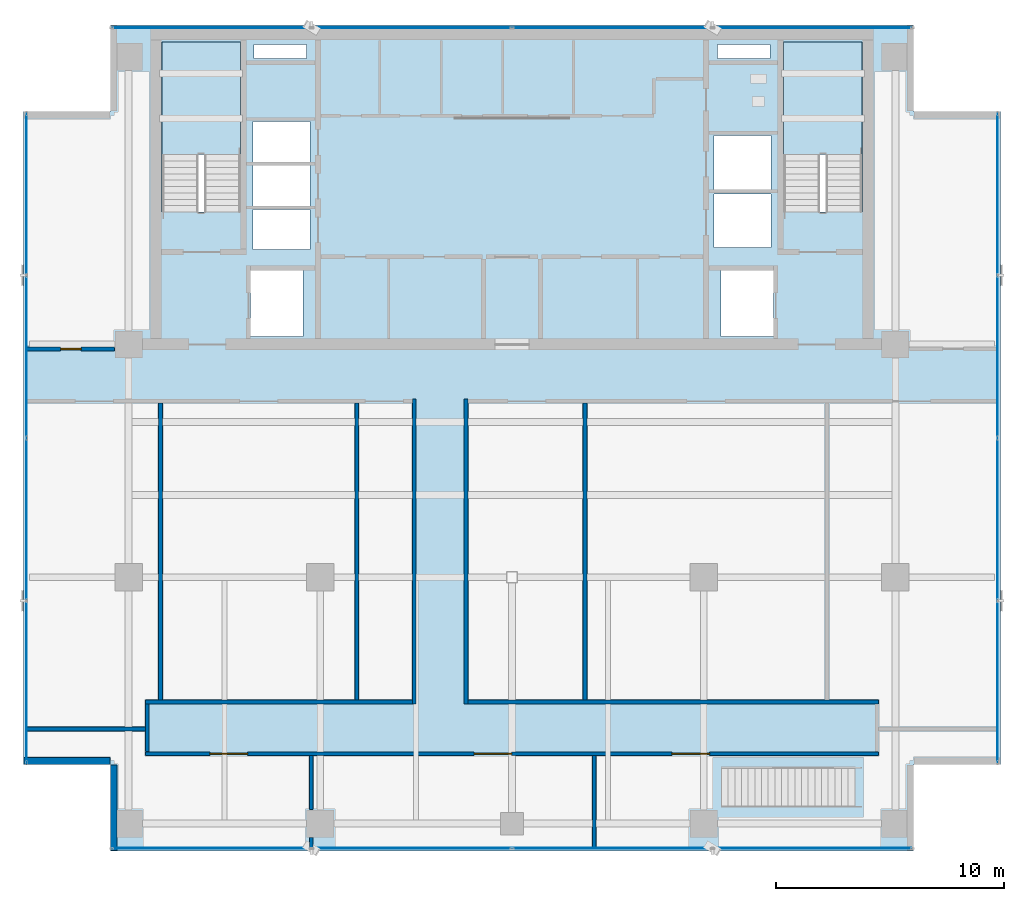
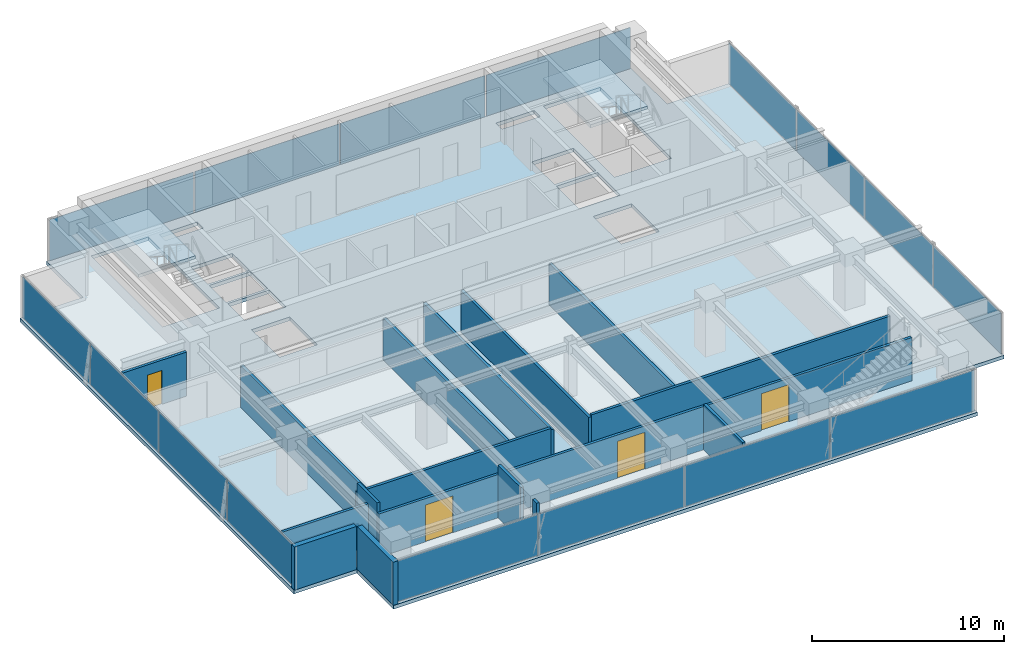
# One storey, part 14 of 22: 16 plates, 16 walls, 4 doors, 3 slabs, 4 openings, 6 elements without a shape of their own.
"""IFC4 building model written with IfcOpenShell, lengths in metres."""

from ifc_helpers import new_model, si_unit, direction, frame, frame_2d, origin, origin_2d, place, context, subcontext, project, spatial, polyline, rectangle, outline, extrude, source, transform, mapped, material, layer, layer_set, type_object, element, fill, aggregate, save


model = new_model("IFC4")

# Units and contexts
model_context = context("Model", 3, precision=1e-05, world=origin(), true_north=direction((0.0, 1.0)))
body_context = subcontext(model_context, "Body", "Model", "MODEL_VIEW")
ifc_project = project(units=[si_unit("LENGTHUNIT", "METRE"), si_unit("AREAUNIT", "SQUARE_METRE"), si_unit("VOLUMEUNIT", "CUBIC_METRE"), si_unit("PLANEANGLEUNIT", "RADIAN"), si_unit("MASSUNIT", "GRAM", prefix="KILO")], contexts=[model_context])

# Site, building, storey
site_placement = place(None, origin())
site = spatial("IfcSite", under=ifc_project, at=site_placement, CompositionType="ELEMENT")
building_placement = place(site_placement, origin())
building = spatial("IfcBuilding", under=site, at=building_placement, Name="Sumidabori Civic Tower", CompositionType="ELEMENT")
storey_placement = place(building_placement, frame((0.0, 0.0, 286.39990234375)))
storey = spatial("IfcBuildingStorey", under=building, at=storey_placement, Name="L75", CompositionType="ELEMENT", Elevation=286.39990234375)

# Stair, slab
ifc_material_1 = material(Name="Concrete C40/50", Category="concrete")
stair_type = type_object("IfcStairType", Name="ST-CORE-1600", PredefinedType="HALF_TURN_STAIR", material=ifc_material_1)
stair_1_placement = place(storey_placement, origin())
stair_1 = element("IfcStair", 1, at=stair_1_placement, inside=storey, type_object=stair_type, Name="L75 ST-1", PredefinedType="HALF_TURN_STAIR")
ifc_layer_1 = layer(ifc_material_1, 0.199951171875, Name="Concrete C40/50")
ifc_layer_set_1 = layer_set([ifc_layer_1], Name="Concrete C40/50")
slab_type_1 = type_object("IfcSlabType", Name="SL-LAND-200", PredefinedType="LANDING", material=ifc_layer_set_1)
slab_1_placement = place(storey_placement, frame((0.0, 0.0, 1.60009765625)))
slab_1 = element("IfcSlab", 2, at=slab_1_placement, type_object=slab_type_1, Name="ST-1 landing 1", PredefinedType="LANDING", context=body_context, shape_type="SweptSolid", body=[
    extrude(outline(polyline([(-11.89990234375, 18.52001953125), (-11.89990234375, 23.449951171875), (-15.340087890625, 23.449951171875), (-15.340087890625, 18.52001953125), (-11.89990234375, 18.52001953125)])), origin(), (0.0, 0.0, 1.0), 0.199951171875),
])
aggregate(stair_1, [slab_1])

stair_2_placement = place(storey_placement, origin())
stair_2 = element("IfcStair", 3, at=stair_2_placement, inside=storey, type_object=stair_type, Name="L75 ST-2", PredefinedType="HALF_TURN_STAIR")
slab_2_placement = place(storey_placement, frame((0.0, 0.0, 1.60009765625)))
slab_2 = element("IfcSlab", 4, at=slab_2_placement, type_object=slab_type_1, Name="ST-2 landing 1", PredefinedType="LANDING", context=body_context, shape_type="SweptSolid", body=[
    extrude(outline(polyline([(15.340087890625, 18.52001953125), (15.340087890625, 23.449951171875), (11.89990234375, 23.449951171875), (11.89990234375, 18.52001953125), (15.340087890625, 18.52001953125)])), origin(), (0.0, 0.0, 1.0), 0.199951171875),
])
aggregate(stair_2, [slab_2])

# Slab
ifc_layer_2 = layer(ifc_material_1, 0.22998046875, Name="Concrete C40/50")
ifc_layer_set_2 = layer_set([ifc_layer_2], Name="Concrete C40/50")
slab_type_2 = type_object("IfcSlabType", Name="SL-Z4-230", PredefinedType="FLOOR", material=ifc_layer_set_2)
slab_3_placement = place(storey_placement, frame((0.0, 0.0, -0.22998046875)))
element("IfcSlab", 5, at=slab_3_placement, inside=storey, type_object=slab_type_2, Name="Structural Slab L75", PredefinedType="FLOOR", context=body_context, shape_type="SweptSolid", body=[
    extrude(outline(polyline([(-17.60009765625, -12.0), (17.60009765625, -12.0), (17.60009765625, -8.199951171875), (21.39990234375, -8.199951171875), (21.39990234375, 20.39990234375), (17.60009765625, 20.39990234375), (17.60009765625, 24.199951171875), (-17.60009765625, 24.199951171875), (-17.60009765625, 20.39990234375), (-21.39990234375, 20.39990234375), (-21.39990234375, -8.199951171875), (-17.60009765625, -8.199951171875), (-17.60009765625, -12.0)]), holes=[polyline([(-11.89990234375, 16.0), (-11.89990234375, 23.449951171875), (-15.340087890625, 23.449951171875), (-15.340087890625, 16.0), (-11.89990234375, 16.0)]), polyline([(15.340087890625, 16.0), (15.340087890625, 23.449951171875), (11.89990234375, 23.449951171875), (11.89990234375, 16.0), (15.340087890625, 16.0)]), polyline([(-11.449951171875, 10.550048828125), (-9.14990234375, 10.550048828125), (-9.14990234375, 13.449951171875), (-11.449951171875, 13.449951171875), (-11.449951171875, 10.550048828125)]), polyline([(9.14990234375, 10.550048828125), (11.449951171875, 10.550048828125), (11.449951171875, 13.449951171875), (9.14990234375, 13.449951171875), (9.14990234375, 10.550048828125)]), polyline([(-11.35009765625, 14.35009765625), (-8.85009765625, 14.35009765625), (-8.85009765625, 16.1201171875), (-11.35009765625, 16.1201171875), (-11.35009765625, 14.35009765625)]), polyline([(-11.35009765625, 16.27001953125), (-8.85009765625, 16.27001953125), (-8.85009765625, 18.0400390625), (-11.35009765625, 18.0400390625), (-11.35009765625, 16.27001953125)]), polyline([(-11.35009765625, 18.18994140625), (-8.85009765625, 18.18994140625), (-8.85009765625, 19.9599609375), (-11.35009765625, 19.9599609375), (-11.35009765625, 18.18994140625)]), polyline([(8.85009765625, 14.449951171875), (11.35009765625, 14.449951171875), (11.35009765625, 16.800048828125), (8.85009765625, 16.800048828125), (8.85009765625, 14.449951171875)]), polyline([(8.85009765625, 17.0), (11.35009765625, 17.0), (11.35009765625, 19.35009765625), (8.85009765625, 19.35009765625), (8.85009765625, 17.0)]), polyline([(-11.300048828125, 22.719970703125), (-9.0, 22.719970703125), (-9.0, 23.35009765625), (-11.300048828125, 23.35009765625), (-11.300048828125, 22.719970703125)]), polyline([(9.0, 22.719970703125), (11.300048828125, 22.719970703125), (11.300048828125, 23.35009765625), (9.0, 23.35009765625), (9.0, 22.719970703125)])]), origin(), (0.0, 0.0, 1.0), 0.22998046875),
])

# Curtain wall, plates
ifc_material_2 = material(Name="Anodised Bronze Aluminium AW-6063-T6", Category="aluminium")
ifc_layer_3 = layer(ifc_material_2, 0.179931640625, Name="Anodised Bronze Aluminium AW-6063-T6")
ifc_layer_set_3 = layer_set([ifc_layer_3], Name="Anodised Bronze Aluminium AW-6063-T6")
curtain_wall_type = type_object("IfcCurtainWallType", Name="CW-SYS-6", PredefinedType="NOTDEFINED", material=ifc_layer_set_3)
curtain_wall_1_placement = place(storey_placement, origin())
curtain_wall_1 = element("IfcCurtainWall", 6, at=curtain_wall_1_placement, inside=storey, type_object=curtain_wall_type, Name="Curtain Wall CW:L75:R01", PredefinedType="NOTDEFINED")
ifc_material_3 = material(Name="Bronze-Tinted Laminated Crown Glazing", Category="glass")
ifc_layer_4 = layer(ifc_material_3, 0.033935546875, Name="Bronze-Tinted Laminated Crown Glazing")
ifc_layer_set_4 = layer_set([ifc_layer_4], Name="Bronze-Tinted Laminated Crown Glazing")
plate_type = type_object("IfcPlateType", Name="CW-PNL-CRN", PredefinedType="CURTAIN_PANEL", material=ifc_layer_set_4)
shared_shape_1 = source(origin(), body_context, "Body", "SweptSolid", [
    extrude(rectangle(XDim=8.679931640625, YDim=0.033935546875, at=origin_2d()), origin(), (0.0, 0.0, 1.0), 2.6201171875),
])
plate_1_placement = place(storey_placement, frame((-13.159912109375, -11.8798828125, 0.06494140625), z_axis=(0.0, 0.0, 1.0), x_axis=(1.0, 0.0, 0.0)))
plate_1 = element("IfcPlate", 7, at=plate_1_placement, type_object=plate_type, Name="CW-6 panel 1.1", PredefinedType="CURTAIN_PANEL", context=body_context, shape_type="MappedRepresentation", body=[
    mapped(shared_shape_1, transform((0.0, 0.0, 0.0), x_axis=(1.0, 0.0, 0.0), y_axis=(0.0, 1.0, 0.0), z_axis=(0.0, 0.0, 1.0), scale=1.0)),
])
plate_2_placement = place(storey_placement, frame((13.159912109375, -11.8798828125, 0.06494140625), z_axis=(0.0, 0.0, 1.0), x_axis=(1.0, 0.0, 0.0)))
plate_2 = element("IfcPlate", 8, at=plate_2_placement, type_object=plate_type, Name="CW-6 panel 4.1", PredefinedType="CURTAIN_PANEL", context=body_context, shape_type="MappedRepresentation", body=[
    mapped(shared_shape_1, transform((0.0, 0.0, 0.0), x_axis=(1.0, 0.0, 0.0), y_axis=(0.0, 1.0, 0.0), z_axis=(0.0, 0.0, 1.0), scale=1.0)),
])

curtain_wall_2_placement = place(storey_placement, origin())
curtain_wall_2 = element("IfcCurtainWall", 9, at=curtain_wall_2_placement, inside=storey, type_object=curtain_wall_type, Name="Curtain Wall CW:L75:R07", PredefinedType="NOTDEFINED")
plate_3_placement = place(storey_placement, frame((13.159912109375, 24.080078125, 0.06494140625), z_axis=(0.0, 0.0, 1.0), x_axis=(-1.0, 0.0, 0.0)))
plate_3 = element("IfcPlate", 10, at=plate_3_placement, type_object=plate_type, Name="CW-6 panel 1.1", PredefinedType="CURTAIN_PANEL", context=body_context, shape_type="MappedRepresentation", body=[
    mapped(shared_shape_1, transform((0.0, 0.0, 0.0), x_axis=(1.0, 0.0, 0.0), y_axis=(0.0, 1.0, 0.0), z_axis=(0.0, 0.0, 1.0), scale=1.0)),
])
plate_4_placement = place(storey_placement, frame((-13.159912109375, 24.080078125, 0.06494140625), z_axis=(0.0, 0.0, 1.0), x_axis=(-1.0, 0.0, 0.0)))
plate_4 = element("IfcPlate", 11, at=plate_4_placement, type_object=plate_type, Name="CW-6 panel 4.1", PredefinedType="CURTAIN_PANEL", context=body_context, shape_type="MappedRepresentation", body=[
    mapped(shared_shape_1, transform((0.0, 0.0, 0.0), x_axis=(1.0, 0.0, 0.0), y_axis=(0.0, 1.0, 0.0), z_axis=(0.0, 0.0, 1.0), scale=1.0)),
])

# Plate
shared_shape_2 = source(origin(), body_context, "Body", "SweptSolid", [
    extrude(rectangle(XDim=8.715087890625, YDim=0.033935546875, at=origin_2d()), origin(), (0.0, 0.0, 1.0), 2.6201171875),
])
plate_5_placement = place(storey_placement, frame((-4.392578125, -11.8798828125, 0.06494140625), z_axis=(0.0, 0.0, 1.0), x_axis=(1.0, 0.0, 0.0)))
plate_5 = element("IfcPlate", 12, at=plate_5_placement, type_object=plate_type, Name="CW-6 panel 2.1", PredefinedType="CURTAIN_PANEL", context=body_context, shape_type="MappedRepresentation", body=[
    mapped(shared_shape_2, transform((0.0, 0.0, 0.0), x_axis=(1.0, 0.0, 0.0), y_axis=(0.0, 1.0, 0.0), z_axis=(0.0, 0.0, 1.0), scale=1.0)),
])

plate_6_placement = place(storey_placement, frame((4.392578125, -11.8798828125, 0.06494140625), z_axis=(0.0, 0.0, 1.0), x_axis=(1.0, 0.0, 0.0)))
plate_6 = element("IfcPlate", 13, at=plate_6_placement, type_object=plate_type, Name="CW-6 panel 3.1", PredefinedType="CURTAIN_PANEL", context=body_context, shape_type="MappedRepresentation", body=[
    mapped(shared_shape_2, transform((0.0, 0.0, 0.0), x_axis=(1.0, 0.0, 0.0), y_axis=(0.0, 1.0, 0.0), z_axis=(0.0, 0.0, 1.0), scale=1.0)),
])

aggregate(curtain_wall_1, [plate_1, plate_5, plate_6, plate_2])

plate_7_placement = place(storey_placement, frame((4.392578125, 24.080078125, 0.06494140625), z_axis=(0.0, 0.0, 1.0), x_axis=(-1.0, 0.0, 0.0)))
plate_7 = element("IfcPlate", 14, at=plate_7_placement, type_object=plate_type, Name="CW-6 panel 2.1", PredefinedType="CURTAIN_PANEL", context=body_context, shape_type="MappedRepresentation", body=[
    mapped(shared_shape_2, transform((0.0, 0.0, 0.0), x_axis=(1.0, 0.0, 0.0), y_axis=(0.0, 1.0, 0.0), z_axis=(0.0, 0.0, 1.0), scale=1.0)),
])

plate_8_placement = place(storey_placement, frame((-4.392578125, 24.080078125, 0.06494140625), z_axis=(0.0, 0.0, 1.0), x_axis=(-1.0, 0.0, 0.0)))
plate_8 = element("IfcPlate", 15, at=plate_8_placement, type_object=plate_type, Name="CW-6 panel 3.1", PredefinedType="CURTAIN_PANEL", context=body_context, shape_type="MappedRepresentation", body=[
    mapped(shared_shape_2, transform((0.0, 0.0, 0.0), x_axis=(1.0, 0.0, 0.0), y_axis=(0.0, 1.0, 0.0), z_axis=(0.0, 0.0, 1.0), scale=1.0)),
])

aggregate(curtain_wall_2, [plate_3, plate_7, plate_8, plate_4])

# Curtain wall, plates
curtain_wall_3_placement = place(storey_placement, origin())
curtain_wall_3 = element("IfcCurtainWall", 16, at=curtain_wall_3_placement, inside=storey, type_object=curtain_wall_type, Name="Curtain Wall CW:L75:R04", PredefinedType="NOTDEFINED")
shared_shape_3 = source(origin(), body_context, "Body", "SweptSolid", [
    extrude(rectangle(XDim=7.030029296875, YDim=0.033935546875, at=origin_2d()), origin(), (0.0, 0.0, 1.0), 2.6201171875),
])
plate_9_placement = place(storey_placement, frame((21.280029296875, -4.5849609375, 0.06494140625), z_axis=(0.0, 0.0, 1.0), x_axis=(0.0, 1.0, 0.0)))
plate_9 = element("IfcPlate", 17, at=plate_9_placement, type_object=plate_type, Name="CW-6 panel 1.1", PredefinedType="CURTAIN_PANEL", context=body_context, shape_type="MappedRepresentation", body=[
    mapped(shared_shape_3, transform((0.0, 0.0, 0.0), x_axis=(1.0, 0.0, 0.0), y_axis=(0.0, 1.0, 0.0), z_axis=(0.0, 0.0, 1.0), scale=1.0)),
])
plate_10_placement = place(storey_placement, frame((21.280029296875, 16.784912109375, 0.06494140625), z_axis=(0.0, 0.0, 1.0), x_axis=(0.0, 1.0, 0.0)))
plate_10 = element("IfcPlate", 18, at=plate_10_placement, type_object=plate_type, Name="CW-6 panel 4.1", PredefinedType="CURTAIN_PANEL", context=body_context, shape_type="MappedRepresentation", body=[
    mapped(shared_shape_3, transform((0.0, 0.0, 0.0), x_axis=(1.0, 0.0, 0.0), y_axis=(0.0, 1.0, 0.0), z_axis=(0.0, 0.0, 1.0), scale=1.0)),
])

curtain_wall_4_placement = place(storey_placement, origin())
curtain_wall_4 = element("IfcCurtainWall", 19, at=curtain_wall_4_placement, inside=storey, type_object=curtain_wall_type, Name="Curtain Wall CW:L75:R10", PredefinedType="NOTDEFINED")
plate_11_placement = place(storey_placement, frame((-21.280029296875, 16.784912109375, 0.06494140625), z_axis=(0.0, 0.0, 1.0), x_axis=(0.0, -1.0, 0.0)))
plate_11 = element("IfcPlate", 20, at=plate_11_placement, type_object=plate_type, Name="CW-6 panel 1.1", PredefinedType="CURTAIN_PANEL", context=body_context, shape_type="MappedRepresentation", body=[
    mapped(shared_shape_3, transform((0.0, 0.0, 0.0), x_axis=(1.0, 0.0, 0.0), y_axis=(0.0, 1.0, 0.0), z_axis=(0.0, 0.0, 1.0), scale=1.0)),
])
plate_12_placement = place(storey_placement, frame((-21.280029296875, -4.5849609375, 0.06494140625), z_axis=(0.0, 0.0, 1.0), x_axis=(0.0, -1.0, 0.0)))
plate_12 = element("IfcPlate", 21, at=plate_12_placement, type_object=plate_type, Name="CW-6 panel 4.1", PredefinedType="CURTAIN_PANEL", context=body_context, shape_type="MappedRepresentation", body=[
    mapped(shared_shape_3, transform((0.0, 0.0, 0.0), x_axis=(1.0, 0.0, 0.0), y_axis=(0.0, 1.0, 0.0), z_axis=(0.0, 0.0, 1.0), scale=1.0)),
])

# Plate
shared_shape_4 = source(origin(), body_context, "Body", "SweptSolid", [
    extrude(rectangle(XDim=7.06494140625, YDim=0.033935546875, at=origin_2d()), origin(), (0.0, 0.0, 1.0), 2.6201171875),
])
plate_13_placement = place(storey_placement, frame((21.280029296875, 2.532470703125, 0.06494140625), z_axis=(0.0, 0.0, 1.0), x_axis=(0.0, 1.0, 0.0)))
plate_13 = element("IfcPlate", 22, at=plate_13_placement, type_object=plate_type, Name="CW-6 panel 2.1", PredefinedType="CURTAIN_PANEL", context=body_context, shape_type="MappedRepresentation", body=[
    mapped(shared_shape_4, transform((0.0, 0.0, 0.0), x_axis=(1.0, 0.0, 0.0), y_axis=(0.0, 1.0, 0.0), z_axis=(0.0, 0.0, 1.0), scale=1.0)),
])

plate_14_placement = place(storey_placement, frame((21.280029296875, 9.66748046875, 0.06494140625), z_axis=(0.0, 0.0, 1.0), x_axis=(0.0, 1.0, 0.0)))
plate_14 = element("IfcPlate", 23, at=plate_14_placement, type_object=plate_type, Name="CW-6 panel 3.1", PredefinedType="CURTAIN_PANEL", context=body_context, shape_type="MappedRepresentation", body=[
    mapped(shared_shape_4, transform((0.0, 0.0, 0.0), x_axis=(1.0, 0.0, 0.0), y_axis=(0.0, 1.0, 0.0), z_axis=(0.0, 0.0, 1.0), scale=1.0)),
])

aggregate(curtain_wall_3, [plate_9, plate_13, plate_14, plate_10])

plate_15_placement = place(storey_placement, frame((-21.280029296875, 9.66748046875, 0.06494140625), z_axis=(0.0, 0.0, 1.0), x_axis=(0.0, -1.0, 0.0)))
plate_15 = element("IfcPlate", 24, at=plate_15_placement, type_object=plate_type, Name="CW-6 panel 2.1", PredefinedType="CURTAIN_PANEL", context=body_context, shape_type="MappedRepresentation", body=[
    mapped(shared_shape_4, transform((0.0, 0.0, 0.0), x_axis=(1.0, 0.0, 0.0), y_axis=(0.0, 1.0, 0.0), z_axis=(0.0, 0.0, 1.0), scale=1.0)),
])

plate_16_placement = place(storey_placement, frame((-21.280029296875, 2.532470703125, 0.06494140625), z_axis=(0.0, 0.0, 1.0), x_axis=(0.0, -1.0, 0.0)))
plate_16 = element("IfcPlate", 25, at=plate_16_placement, type_object=plate_type, Name="CW-6 panel 3.1", PredefinedType="CURTAIN_PANEL", context=body_context, shape_type="MappedRepresentation", body=[
    mapped(shared_shape_4, transform((0.0, 0.0, 0.0), x_axis=(1.0, 0.0, 0.0), y_axis=(0.0, 1.0, 0.0), z_axis=(0.0, 0.0, 1.0), scale=1.0)),
])

aggregate(curtain_wall_4, [plate_11, plate_15, plate_16, plate_12])

# Walls
ifc_material_4 = material(Name="Precast concrete C40/50", Category="concrete")
ifc_layer_5 = layer(ifc_material_4, 0.300048828125, Name="Precast concrete C40/50")
ifc_layer_set_5 = layer_set([ifc_layer_5], Name="Precast concrete C40/50")
wall_type_1 = type_object("IfcWallType", Name="WL-EXT-POD300", PredefinedType="STANDARD", material=ifc_layer_set_5)
shared_shape_5 = source(origin(), body_context, "Body", "SweptSolid", [
    extrude(rectangle(XDim=3.760009765625, YDim=0.300048828125, at=frame_2d((1.8798828125, 0.0))), origin(), (0.0, 0.0, 1.0), 2.75),
])
wall_1_placement = place(storey_placement, frame((-17.449951171875, -8.219970703125, 0.0), z_axis=(0.0, 0.0, 1.0), x_axis=(0.0, -1.0, 0.0)))
element("IfcWall", 26, at=wall_1_placement, inside=storey, type_object=wall_type_1, Name="Notched Corner Spandrel Band L75-12", PredefinedType="STANDARD", context=body_context, shape_type="MappedRepresentation", body=[
    mapped(shared_shape_5, transform((0.0, 0.0, 0.0), x_axis=(1.0, 0.0, 0.0), y_axis=(0.0, 1.0, 0.0), z_axis=(0.0, 0.0, 1.0), scale=1.0)),
])
shared_shape_6 = source(origin(), body_context, "Body", "SweptSolid", [
    extrude(rectangle(XDim=3.759765625, YDim=0.300048828125, at=frame_2d((1.8798828125, 0.0))), origin(), (0.0, 0.0, 1.0), 2.75),
])
wall_2_placement = place(storey_placement, frame((-21.3798828125, -8.050048828125, 0.0), z_axis=(0.0, 0.0, 1.0), x_axis=(1.0, 0.0, 0.0)))
element("IfcWall", 27, at=wall_2_placement, inside=storey, type_object=wall_type_1, Name="Notched Corner Spandrel Band L75-11", PredefinedType="STANDARD", context=body_context, shape_type="MappedRepresentation", body=[
    mapped(shared_shape_6, transform((0.0, 0.0, 0.0), x_axis=(1.0, 0.0, 0.0), y_axis=(0.0, 1.0, 0.0), z_axis=(0.0, 0.0, 1.0), scale=1.0)),
])

# Wall, opening, door
ifc_material_5 = material(Name="Gypsum Plasterboard Acoustic Partition")
ifc_layer_6 = layer(ifc_material_5, 0.1650390625, Name="Gypsum Plasterboard Acoustic Partition")
ifc_layer_set_6 = layer_set([ifc_layer_6], Name="Gypsum Plasterboard Acoustic Partition")
wall_type_2 = type_object("IfcWallType", Name="WL-PART-165", PredefinedType="PARTITIONING", material=ifc_layer_set_6)
shared_shape_7 = source(origin(), body_context, "Body", "SweptSolid", [
    extrude(rectangle(XDim=3.840087890625, YDim=0.1650390625, at=frame_2d((1.919921875, 0.0))), origin(), (0.0, 0.0, 1.0), 2.80517578125),
])
wall_3_placement = place(storey_placement, frame((-21.25, 10.0, 0.0), z_axis=(0.0, 0.0, 1.0), x_axis=(1.0, 0.0, 0.0)))
wall_3 = element("IfcWall", 28, at=wall_3_placement, inside=storey, type_object=wall_type_2, Name="Interior Partition WL:L75:FLK-NW", PredefinedType="PARTITIONING", context=body_context, shape_type="MappedRepresentation", body=[
    mapped(shared_shape_7, transform((0.0, 0.0, 0.0), x_axis=(1.0, 0.0, 0.0), y_axis=(0.0, 1.0, 0.0), z_axis=(0.0, 0.0, 1.0), scale=1.0)),
])
opening_1_placement = place(wall_3_placement, frame((1.469970703125, 0.0, 0.0)))
opening_1 = element("IfcOpeningElement", 29, at=opening_1_placement, cuts=wall_3, Name="Opening DR-1", PredefinedType="OPENING", context=body_context, shape_type="SweptSolid", body=[
    extrude(rectangle(XDim=0.89990234375, YDim=2.14990234375, at=frame_2d((0.449951171875, 1.074951171875))), frame((0.0, 0.094482421875, 0.0), z_axis=(0.0, -1.0, 0.0), x_axis=(1.0, 0.0, 0.0)), (0.0, 0.0, 1.0), 0.18896484375),
])
ifc_material_6 = material(Name="Japanese Hinoki Timber", Category="wood")
door_type_1 = type_object("IfcDoorType", Name="DR-INT-900", OperationType="NOTDEFINED", PredefinedType="DOOR", material=ifc_material_6)
shared_shape_8 = source(origin(), body_context, "Body", "SweptSolid", [
    extrude(rectangle(XDim=0.89990234375, YDim=2.14990234375, at=frame_2d((0.449951171875, 1.074951171875))), frame((0.0, 0.02490234375, 0.0), z_axis=(0.0, -1.0, 0.0), x_axis=(1.0, 0.0, 0.0)), (0.0, 0.0, 1.0), 0.050048828125),
])
door_1_placement = place(opening_1_placement, origin())
door_1 = element("IfcDoor", 30, at=door_1_placement, inside=storey, type_object=door_type_1, Name="Door DR:L75:FLK-NW", OperationType="SINGLE_SWING_LEFT", OverallHeight=2.14990234375, OverallWidth=0.89990234375, PredefinedType="DOOR", context=body_context, shape_type="MappedRepresentation", body=[
    mapped(shared_shape_8, transform((0.0, 0.0, 0.0), x_axis=(1.0, 0.0, 0.0), y_axis=(0.0, 1.0, 0.0), z_axis=(0.0, 0.0, 1.0), scale=1.0)),
])
fill(opening_1, door_1)

# Walls
shared_shape_9 = source(origin(), body_context, "Body", "SweptSolid", [
    extrude(rectangle(XDim=11.699951171875, YDim=0.1650390625, at=frame_2d((5.85009765625, 0.0))), origin(), (0.0, 0.0, 1.0), 2.755126953125),
])
wall_4_placement = place(storey_placement, frame((-16.06494140625, -5.467529296875, 0.0), z_axis=(0.0, 0.0, 1.0), x_axis=(1.0, 0.0, 0.0)))
element("IfcWall", 31, at=wall_4_placement, inside=storey, type_object=wall_type_2, Name="Interior Partition WL:L75:CORR-MNW", PredefinedType="PARTITIONING", context=body_context, shape_type="MappedRepresentation", body=[
    mapped(shared_shape_9, transform((0.0, 0.0, 0.0), x_axis=(1.0, 0.0, 0.0), y_axis=(0.0, 1.0, 0.0), z_axis=(0.0, 0.0, 1.0), scale=1.0)),
])
shared_shape_10 = source(origin(), body_context, "Body", "SweptSolid", [
    extrude(rectangle(XDim=18.0, YDim=0.1650390625, at=frame_2d((9.0, 0.0))), origin(), (0.0, 0.0, 1.0), 2.755126953125),
])
wall_5_placement = place(storey_placement, frame((-1.93505859375, -5.467529296875, 0.0), z_axis=(0.0, 0.0, 1.0), x_axis=(1.0, 0.0, 0.0)))
element("IfcWall", 32, at=wall_5_placement, inside=storey, type_object=wall_type_2, Name="Interior Partition WL:L75:CORR-MNE", PredefinedType="PARTITIONING", context=body_context, shape_type="MappedRepresentation", body=[
    mapped(shared_shape_10, transform((0.0, 0.0, 0.0), x_axis=(1.0, 0.0, 0.0), y_axis=(0.0, 1.0, 0.0), z_axis=(0.0, 0.0, 1.0), scale=1.0)),
])

# Wall, openings, doors
shared_shape_11 = source(origin(), body_context, "Body", "SweptSolid", [
    extrude(rectangle(XDim=32.1298828125, YDim=0.1650390625, at=frame_2d((16.06494140625, 0.0))), origin(), (0.0, 0.0, 1.0), 2.755126953125),
])
wall_6_placement = place(storey_placement, frame((-16.06494140625, -7.732421875, 0.0), z_axis=(0.0, 0.0, 1.0), x_axis=(1.0, 0.0, 0.0)))
wall_6 = element("IfcWall", 33, at=wall_6_placement, inside=storey, type_object=wall_type_2, Name="Interior Partition WL:L75:CORR-SS", PredefinedType="PARTITIONING", context=body_context, shape_type="MappedRepresentation", body=[
    mapped(shared_shape_11, transform((0.0, 0.0, 0.0), x_axis=(1.0, 0.0, 0.0), y_axis=(0.0, 1.0, 0.0), z_axis=(0.0, 0.0, 1.0), scale=1.0)),
])
opening_2_placement = place(wall_6_placement, frame((2.826171875, 0.0, 0.0)))
opening_2 = element("IfcOpeningElement", 34, at=opening_2_placement, cuts=wall_6, Name="Opening DR-6", PredefinedType="OPENING", context=body_context, shape_type="SweptSolid", body=[
    extrude(rectangle(XDim=1.64990234375, YDim=2.35009765625, at=frame_2d((0.824951171875, 1.175048828125))), frame((0.0, 0.094482421875, 0.0), z_axis=(0.0, -1.0, 0.0), x_axis=(1.0, 0.0, 0.0)), (0.0, 0.0, 1.0), 0.18896484375),
])
opening_3_placement = place(wall_6_placement, frame((23.07373046875, 0.0, 0.0)))
opening_3 = element("IfcOpeningElement", 35, at=opening_3_placement, cuts=wall_6, Name="Opening DR-6", PredefinedType="OPENING", context=body_context, shape_type="SweptSolid", body=[
    extrude(rectangle(XDim=1.64990234375, YDim=2.35009765625, at=frame_2d((0.824951171875, 1.175048828125))), frame((0.0, 0.094482421875, 0.0), z_axis=(0.0, -1.0, 0.0), x_axis=(1.0, 0.0, 0.0)), (0.0, 0.0, 1.0), 0.18896484375),
])
opening_4_placement = place(wall_6_placement, frame((14.39990234375, 0.0, 0.0)))
opening_4 = element("IfcOpeningElement", 36, at=opening_4_placement, cuts=wall_6, Name="Opening DR-6", PredefinedType="OPENING", context=body_context, shape_type="SweptSolid", body=[
    extrude(rectangle(XDim=1.64990234375, YDim=2.35009765625, at=frame_2d((0.824951171875, 1.175048828125))), frame((0.0, 0.094482421875, 0.0), z_axis=(0.0, -1.0, 0.0), x_axis=(1.0, 0.0, 0.0)), (0.0, 0.0, 1.0), 0.18896484375),
])
door_type_2 = type_object("IfcDoorType", Name="DR-DBL-1650", OperationType="DOUBLE_DOOR_SINGLE_SWING", PredefinedType="DOOR", material=ifc_material_2)
shared_shape_12 = source(origin(), body_context, "Body", "SweptSolid", [
    extrude(rectangle(XDim=1.64990234375, YDim=2.35009765625, at=frame_2d((0.824951171875, 1.175048828125))), frame((0.0, 0.02490234375, 0.0), z_axis=(0.0, -1.0, 0.0), x_axis=(1.0, 0.0, 0.0)), (0.0, 0.0, 1.0), 0.050048828125),
])
door_2_placement = place(opening_2_placement, origin())
door_2 = element("IfcDoor", 37, at=door_2_placement, inside=storey, type_object=door_type_2, Name="Door DR:L75:D09", OperationType="DOUBLE_DOOR_SINGLE_SWING", OverallHeight=2.35009765625, OverallWidth=1.64990234375, PredefinedType="DOOR", context=body_context, shape_type="MappedRepresentation", body=[
    mapped(shared_shape_12, transform((0.0, 0.0, 0.0), x_axis=(1.0, 0.0, 0.0), y_axis=(0.0, 1.0, 0.0), z_axis=(0.0, 0.0, 1.0), scale=1.0)),
])
fill(opening_2, door_2)
door_3_placement = place(opening_3_placement, origin())
door_3 = element("IfcDoor", 38, at=door_3_placement, inside=storey, type_object=door_type_2, Name="Door DR:L75:D10", OperationType="DOUBLE_DOOR_SINGLE_SWING", OverallHeight=2.35009765625, OverallWidth=1.64990234375, PredefinedType="DOOR", context=body_context, shape_type="MappedRepresentation", body=[
    mapped(shared_shape_12, transform((0.0, 0.0, 0.0), x_axis=(1.0, 0.0, 0.0), y_axis=(0.0, 1.0, 0.0), z_axis=(0.0, 0.0, 1.0), scale=1.0)),
])
fill(opening_3, door_3)
door_4_placement = place(opening_4_placement, origin())
door_4 = element("IfcDoor", 39, at=door_4_placement, inside=storey, type_object=door_type_2, Name="Door DR:L75:D11", OperationType="DOUBLE_DOOR_SINGLE_SWING", OverallHeight=2.35009765625, OverallWidth=1.64990234375, PredefinedType="DOOR", context=body_context, shape_type="MappedRepresentation", body=[
    mapped(shared_shape_12, transform((0.0, 0.0, 0.0), x_axis=(1.0, 0.0, 0.0), y_axis=(0.0, 1.0, 0.0), z_axis=(0.0, 0.0, 1.0), scale=1.0)),
])
fill(opening_4, door_4)

# Walls
shared_shape_13 = source(origin(), body_context, "Body", "SweptSolid", [
    extrude(rectangle(XDim=13.35009765625, YDim=0.1650390625, at=frame_2d((6.675048828125, 0.0))), origin(), (0.0, 0.0, 1.0), 2.655029296875),
])
for number, where, z_axis, x_axis, name in (
    (40, (-4.282470703125, -5.550048828125, 0.0), (0.0, 0.0, 1.0), (0.0, 1.0, 0.0), "Interior Partition WL:L75:CORR-VC-W"),
    (41, (-2.017578125, -5.550048828125, 0.0), (0.0, 0.0, 1.0), (0.0, 1.0, 0.0), "Interior Partition WL:L75:CORR-VC-E"),
):
    element("IfcWall", number, at=place(storey_placement, frame(where, z_axis=z_axis, x_axis=x_axis)), inside=storey, type_object=wall_type_2, Name=name, PredefinedType="PARTITIONING", context=body_context, shape_type="MappedRepresentation", body=[
        mapped(shared_shape_13, transform((0.0, 0.0, 0.0), x_axis=(1.0, 0.0, 0.0), y_axis=(0.0, 1.0, 0.0), z_axis=(0.0, 0.0, 1.0), scale=1.0)),
    ])
shared_shape_14 = source(origin(), body_context, "Body", "SweptSolid", [
    extrude(rectangle(XDim=2.090087890625, YDim=0.1650390625, at=frame_2d((1.044921875, 0.0))), origin(), (0.0, 0.0, 1.0), 3.3701171875),
])
wall_7_placement = place(storey_placement, frame((-15.982421875, -7.64501953125, 0.0), z_axis=(0.0, 0.0, 1.0), x_axis=(0.0, 1.0, 0.0)))
element("IfcWall", 42, at=wall_7_placement, inside=storey, type_object=wall_type_2, Name="Interior Partition WL:L75:CORR-VSW", PredefinedType="PARTITIONING", context=body_context, shape_type="MappedRepresentation", body=[
    mapped(shared_shape_14, transform((0.0, 0.0, 0.0), x_axis=(1.0, 0.0, 0.0), y_axis=(0.0, 1.0, 0.0), z_axis=(0.0, 0.0, 1.0), scale=1.0)),
])
shared_shape_15 = source(origin(), body_context, "Body", "SweptSolid", [
    extrude(rectangle(XDim=5.179931640625, YDim=0.1650390625, at=frame_2d((2.58984375, 0.0))), origin(), (0.0, 0.0, 1.0), 2.755126953125),
])
wall_8_placement = place(storey_placement, frame((-21.25, -6.64990234375, 0.0), z_axis=(0.0, 0.0, 1.0), x_axis=(1.0, 0.0, 0.0)))
element("IfcWall", 43, at=wall_8_placement, inside=storey, type_object=wall_type_2, Name="Interior Partition WL:L75:BAND-Y-1", PredefinedType="PARTITIONING", context=body_context, shape_type="MappedRepresentation", body=[
    mapped(shared_shape_15, transform((0.0, 0.0, 0.0), x_axis=(1.0, 0.0, 0.0), y_axis=(0.0, 1.0, 0.0), z_axis=(0.0, 0.0, 1.0), scale=1.0)),
])
shared_shape_16 = source(origin(), body_context, "Body", "SweptSolid", [
    extrude(rectangle(XDim=13.009765625, YDim=0.1650390625, at=frame_2d((6.5048828125, 0.0))), origin(), (0.0, 0.0, 1.0), 2.655029296875),
])
for number, where, z_axis, x_axis, name in (
    (44, (-15.39990234375, -5.3798828125, 0.0), (0.0, 0.0, 1.0), (0.0, 1.0, 0.0), "Interior Partition WL:L75:VX-N1"),
    (45, (-6.800048828125, -5.3798828125, 0.0), (0.0, 0.0, 1.0), (0.0, 1.0, 0.0), "Interior Partition WL:L75:VX-N2"),
    (46, (3.199951171875, -5.3798828125, 0.0), (0.0, 0.0, 1.0), (0.0, 1.0, 0.0), "Interior Partition WL:L75:VX-N3"),
):
    element("IfcWall", number, at=place(storey_placement, frame(where, z_axis=z_axis, x_axis=x_axis)), inside=storey, type_object=wall_type_2, Name=name, PredefinedType="PARTITIONING", context=body_context, shape_type="MappedRepresentation", body=[
        mapped(shared_shape_16, transform((0.0, 0.0, 0.0), x_axis=(1.0, 0.0, 0.0), y_axis=(0.0, 1.0, 0.0), z_axis=(0.0, 0.0, 1.0), scale=1.0)),
    ])
shared_shape_17 = source(origin(), body_context, "Body", "SweptSolid", [
    extrude(rectangle(XDim=0.440185546875, YDim=0.1650390625, at=frame_2d((0.22021484375, 0.0))), origin(), (0.0, 0.0, 1.0), 3.3701171875),
])
wall_9_placement = place(storey_placement, frame((-8.800048828125, -11.85009765625, 0.0), z_axis=(0.0, 0.0, 1.0), x_axis=(0.0, 1.0, 0.0)))
element("IfcWall", 47, at=wall_9_placement, inside=storey, type_object=wall_type_2, Name="Interior Partition WL:L75:VX-S1-1", PredefinedType="PARTITIONING", context=body_context, shape_type="MappedRepresentation", body=[
    mapped(shared_shape_17, transform((0.0, 0.0, 0.0), x_axis=(1.0, 0.0, 0.0), y_axis=(0.0, 1.0, 0.0), z_axis=(0.0, 0.0, 1.0), scale=1.0)),
])
shared_shape_18 = source(origin(), body_context, "Body", "SweptSolid", [
    extrude(rectangle(XDim=2.369873046875, YDim=0.1650390625, at=frame_2d((1.18505859375, 0.0))), origin(), (0.0, 0.0, 1.0), 3.3701171875),
])
wall_10_placement = place(storey_placement, frame((-8.800048828125, -10.18994140625, 0.0), z_axis=(0.0, 0.0, 1.0), x_axis=(0.0, 1.0, 0.0)))
element("IfcWall", 48, at=wall_10_placement, inside=storey, type_object=wall_type_2, Name="Interior Partition WL:L75:VX-S1-2", PredefinedType="PARTITIONING", context=body_context, shape_type="MappedRepresentation", body=[
    mapped(shared_shape_18, transform((0.0, 0.0, 0.0), x_axis=(1.0, 0.0, 0.0), y_axis=(0.0, 1.0, 0.0), z_axis=(0.0, 0.0, 1.0), scale=1.0)),
])
shared_shape_19 = source(origin(), body_context, "Body", "SweptSolid", [
    extrude(rectangle(XDim=4.030029296875, YDim=0.1650390625, at=frame_2d((2.01513671875, 0.0))), origin(), (0.0, 0.0, 1.0), 2.905029296875),
])
wall_11_placement = place(storey_placement, frame((3.60009765625, -11.85009765625, 0.0), z_axis=(0.0, 0.0, 1.0), x_axis=(0.0, 1.0, 0.0)))
element("IfcWall", 49, at=wall_11_placement, inside=storey, type_object=wall_type_2, Name="Interior Partition WL:L75:VX-S2", PredefinedType="PARTITIONING", context=body_context, shape_type="MappedRepresentation", body=[
    mapped(shared_shape_19, transform((0.0, 0.0, 0.0), x_axis=(1.0, 0.0, 0.0), y_axis=(0.0, 1.0, 0.0), z_axis=(0.0, 0.0, 1.0), scale=1.0)),
])

save(model, "model.ifc")
